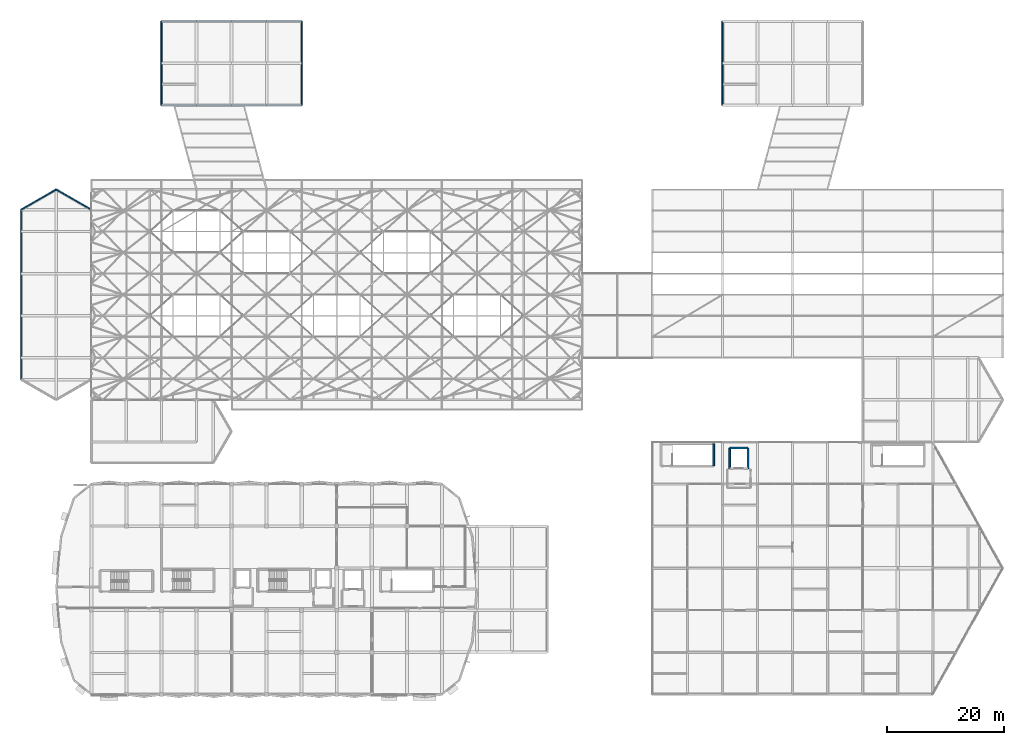
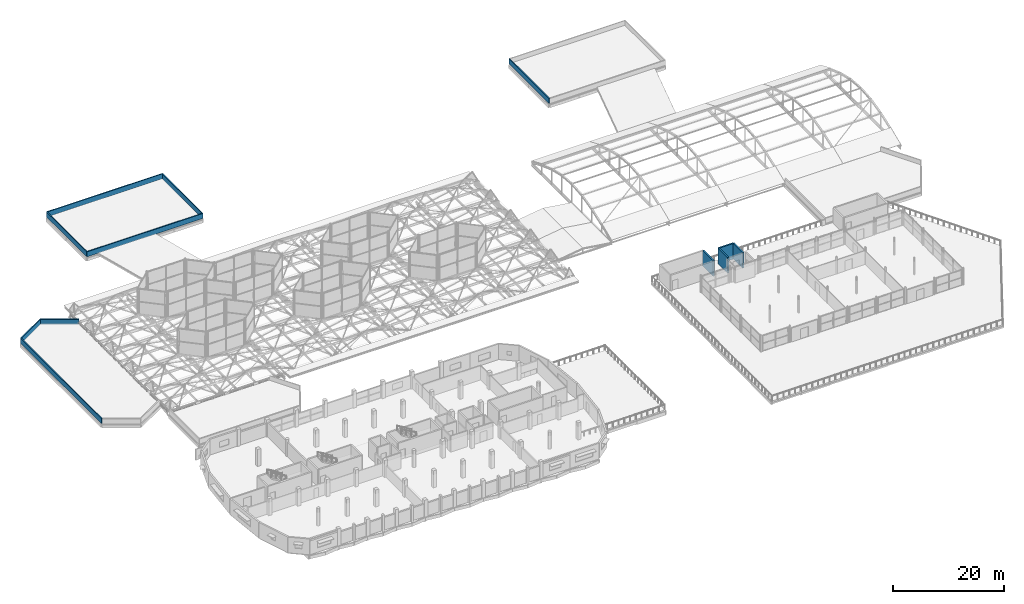
# One storey, part 229 of 239: 12 walls.
"""IFC4 building model written with IfcOpenShell, lengths in metres."""

from ifc_helpers import new_model, si_unit, direction, frame, frame_2d, origin, place, context, subcontext, project, spatial, rectangle, extrude, material, layer, layer_set, type_object, element, save


model = new_model("IFC4")

# Units and contexts
model_context = context("Model", 3, precision=1e-05, world=origin(), true_north=direction((0.0, 1.0)))
body_context = subcontext(model_context, "Body", "Model", "MODEL_VIEW")
ifc_project = project(units=[si_unit("LENGTHUNIT", "METRE"), si_unit("AREAUNIT", "SQUARE_METRE"), si_unit("VOLUMEUNIT", "CUBIC_METRE"), si_unit("PLANEANGLEUNIT", "RADIAN"), si_unit("MASSUNIT", "GRAM", prefix="KILO")], contexts=[model_context])

# Site, building, storey
site_placement = place(None, origin())
site = spatial("IfcSite", under=ifc_project, at=site_placement, CompositionType="ELEMENT")
building_placement = place(site_placement, origin())
building = spatial("IfcBuilding", under=site, at=building_placement, Name="Dunvalen Ferry Terminal", CompositionType="ELEMENT")
storey_placement = place(building_placement, frame((0.0, 0.0, 9.840087890625)))
storey = spatial("IfcBuildingStorey", under=building, at=storey_placement, Name="L02", CompositionType="ELEMENT", Elevation=9.840087890625)

# Walls
ifc_material_1 = material(Name="Precast concrete C40/50", Category="concrete")
ifc_layer_1 = layer(ifc_material_1, 0.199951171875, Name="Precast concrete C40/50")
ifc_layer_set_1 = layer_set([ifc_layer_1], Name="Precast concrete C40/50")
wall_type_1 = type_object("IfcWallType", Name="ENV-WL-PAR200", PredefinedType="PARAPET", material=ifc_layer_set_1)
for number, where, z_axis, x_axis, name in (
    (1, (12.0, 82.935791015625, 0.239990234375), (0.0, 0.0, 1.0), (-0.866024796723, 0.500001051461, 0.0), "L02 V1AW Roof Parapet 03"),
    (2, (6.0, 86.39990234375, 0.239990234375), (0.0, 0.0, 1.0), (-0.866024796723, -0.500001051461, 0.0), "L02 V1AW Roof Parapet 04"),
):
    element("IfcWall", number, at=place(storey_placement, frame(where, z_axis=z_axis, x_axis=x_axis)), inside=storey, type_object=wall_type_1, Name=name, PredefinedType="PARAPET", context=body_context, shape_type="SweptSolid", body=[
        extrude(rectangle(XDim=6.92822265625, YDim=0.199951171875, at=frame_2d((3.464111328125, 0.0))), origin(), (0.0, 0.0, 1.0), 1.099853515625),
    ])
wall_1_placement = place(storey_placement, frame((0.0, 82.935791015625, 0.239990234375), z_axis=(0.0, 0.0, 1.0), x_axis=(0.0, -1.0, 0.0)))
element("IfcWall", 3, at=wall_1_placement, inside=storey, type_object=wall_type_1, Name="L02 V1AW Roof Parapet 05", PredefinedType="PARAPET", context=body_context, shape_type="SweptSolid", body=[
    extrude(rectangle(XDim=29.07177734375, YDim=0.199951171875, at=frame_2d((14.535888671875, 0.0))), origin(), (0.0, 0.0, 1.0), 1.099853515625),
])
wall_2_placement = place(storey_placement, frame((24.0, 100.800048828125, 0.0), z_axis=(0.0, 0.0, 1.0), x_axis=(1.0, 0.0, 0.0)))
element("IfcWall", 4, at=wall_2_placement, inside=storey, type_object=wall_type_1, Name="L02 Berth Pavilion 1 S Parapet", PredefinedType="PARAPET", context=body_context, shape_type="SweptSolid", body=[
    extrude(rectangle(XDim=24.0, YDim=0.199951171875, at=frame_2d((12.0, 0.0))), origin(), (0.0, 0.0, 1.0), 1.099853515625),
])
wall_3_placement = place(storey_placement, frame((48.0, 100.800048828125, 0.0), z_axis=(0.0, 0.0, 1.0), x_axis=(0.0, 1.0, 0.0)))
element("IfcWall", 5, at=wall_3_placement, inside=storey, type_object=wall_type_1, Name="L02 Berth Pavilion 1 E Parapet", PredefinedType="PARAPET", context=body_context, shape_type="SweptSolid", body=[
    extrude(rectangle(XDim=14.39990234375, YDim=0.199951171875, at=frame_2d((7.199951171875, 0.0))), origin(), (0.0, 0.0, 1.0), 1.099853515625),
])
wall_4_placement = place(storey_placement, frame((48.0, 115.199951171875, 0.0), z_axis=(0.0, 0.0, 1.0), x_axis=(-1.0, 0.0, 0.0)))
element("IfcWall", 6, at=wall_4_placement, inside=storey, type_object=wall_type_1, Name="L02 Berth Pavilion 1 N Parapet", PredefinedType="PARAPET", context=body_context, shape_type="SweptSolid", body=[
    extrude(rectangle(XDim=24.0, YDim=0.199951171875, at=frame_2d((12.0, 0.0))), origin(), (0.0, 0.0, 1.0), 1.099853515625),
])
for number, where, z_axis, x_axis, name in (
    (7, (24.0, 115.199951171875, 0.0), (0.0, 0.0, 1.0), (0.0, -1.0, 0.0), "L02 Berth Pavilion 1 W Parapet"),
    (8, (120.0, 115.199951171875, 0.0), (0.0, 0.0, 1.0), (0.0, -1.0, 0.0), "L02 Berth Pavilion 2 W Parapet"),
):
    element("IfcWall", number, at=place(storey_placement, frame(where, z_axis=z_axis, x_axis=x_axis)), inside=storey, type_object=wall_type_1, Name=name, PredefinedType="PARAPET", context=body_context, shape_type="SweptSolid", body=[
        extrude(rectangle(XDim=14.39990234375, YDim=0.199951171875, at=frame_2d((7.199951171875, 0.0))), origin(), (0.0, 0.0, 1.0), 1.099853515625),
    ])
ifc_material_2 = material(Name="Concrete C40/50", Category="concrete")
ifc_layer_2 = layer(ifc_material_2, 0.300048828125, Name="Concrete C40/50")
ifc_layer_set_2 = layer_set([ifc_layer_2], Name="Concrete C40/50")
wall_type_2 = type_object("IfcWallType", Name="STR-WL-SHR300", PredefinedType="SHEAR", material=ifc_layer_set_2)
wall_5_placement = place(storey_placement, frame((118.5, 39.10009765625, 0.0), z_axis=(0.0, 0.0, 1.0), x_axis=(0.0, 1.0, 0.0)))
element("IfcWall", 9, at=wall_5_placement, inside=storey, type_object=wall_type_2, Name="L02 ST4 Core East Shear Wall", PredefinedType="SHEAR", context=body_context, shape_type="SweptSolid", body=[
    extrude(rectangle(XDim=3.7998046875, YDim=0.300048828125, at=frame_2d((1.89990234375, 0.0))), origin(), (0.0, 0.0, 1.0), 3.43994140625),
])
wall_6_placement = place(storey_placement, frame((121.25, 42.14990234375, 0.0), z_axis=(0.0, 0.0, 1.0), x_axis=(1.0, 0.0, 0.0)))
element("IfcWall", 10, at=wall_6_placement, inside=storey, type_object=wall_type_2, Name="L02 LG-02 Lift Shaft N Wall", PredefinedType="SHEAR", context=body_context, shape_type="SweptSolid", body=[
    extrude(rectangle(XDim=3.10009765625, YDim=0.300048828125, at=frame_2d((1.550048828125, 0.0))), origin(), (0.0, 0.0, 1.0), 3.43994140625),
])
for number, where, z_axis, x_axis, name in (
    (11, (121.25, 38.64990234375, 0.0), (0.0, 0.0, 1.0), (0.0, 1.0, 0.0), "L02 LG-02 Lift Shaft W Wall"),
    (12, (124.35009765625, 38.64990234375, 0.0), (0.0, 0.0, 1.0), (0.0, 1.0, 0.0), "L02 LG-02 Lift Shaft E Wall"),
):
    element("IfcWall", number, at=place(storey_placement, frame(where, z_axis=z_axis, x_axis=x_axis)), inside=storey, type_object=wall_type_2, Name=name, PredefinedType="SHEAR", context=body_context, shape_type="SweptSolid", body=[
        extrude(rectangle(XDim=3.5, YDim=0.300048828125, at=frame_2d((1.75, 0.0))), origin(), (0.0, 0.0, 1.0), 3.43994140625),
    ])

save(model, "model.ifc")
